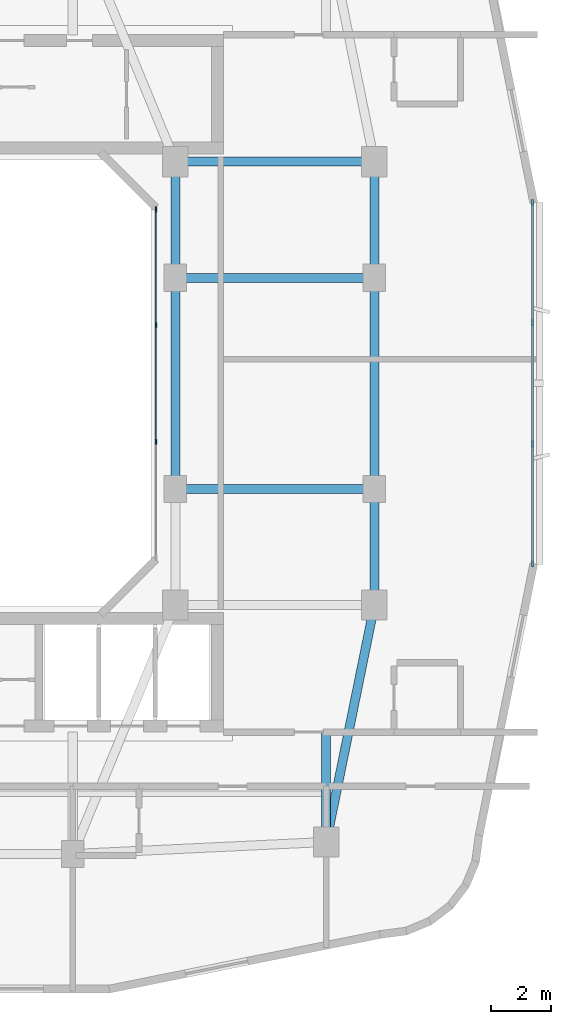
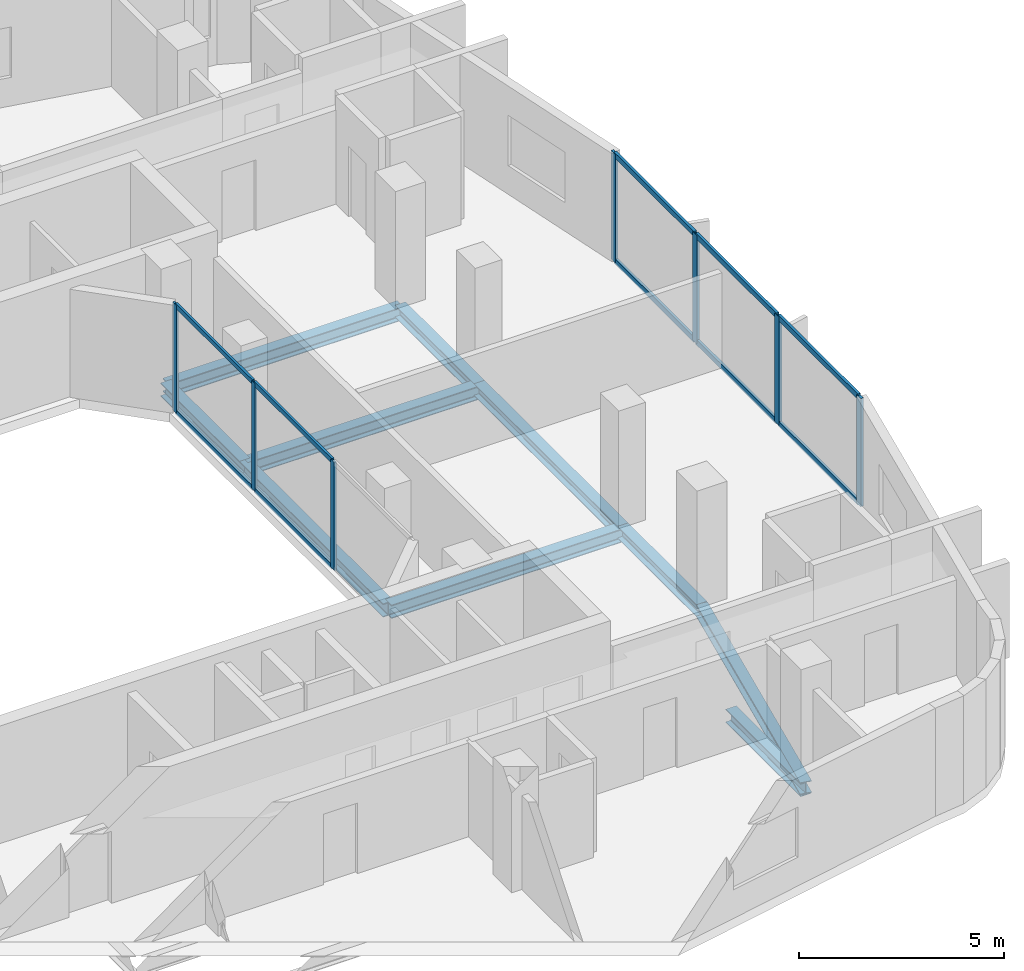
# One storey, part 3 of 13: 17 members, 10 beams, 2 elements without a shape of their own.
"""IFC4 building model written with IfcOpenShell, lengths in metres."""

from ifc_helpers import new_model, si_unit, derived_unit, direction, frame, origin, origin_2d, place, context, subcontext, project, spatial, rectangle, i_section, extrude, material, layer, layer_set, material_profile, profile_set, type_object, element, aggregate, save


model = new_model("IFC4")

# Units and contexts
model_context = context("Model", 3, precision=1e-05, world=origin(), true_north=direction((0.0, 1.0)))
body_context = subcontext(model_context, "Body", "Model", "MODEL_VIEW")
ifc_project = project(units=[si_unit("LENGTHUNIT", "METRE"), si_unit("AREAUNIT", "SQUARE_METRE"), si_unit("VOLUMEUNIT", "CUBIC_METRE"), si_unit("PLANEANGLEUNIT", "RADIAN"), si_unit("MASSUNIT", "GRAM", prefix="KILO"), derived_unit("THERMALTRANSMITTANCEUNIT", [(si_unit("POWERUNIT", "WATT"), 1), (si_unit("LENGTHUNIT", "METRE"), -2), (si_unit("THERMODYNAMICTEMPERATUREUNIT", "KELVIN"), -1)])], contexts=[model_context])

# Site, building, storey
site_placement = place(None, origin())
site = spatial("IfcSite", under=ifc_project, at=site_placement, CompositionType="ELEMENT")
building_placement = place(site_placement, origin())
building = spatial("IfcBuilding", under=site, at=building_placement, Name="Kivonza Crest Hotel", CompositionType="ELEMENT")
storey_placement = place(building_placement, frame((0.0, 0.0, 155.5)))
storey = spatial("IfcBuildingStorey", under=building, at=storey_placement, Name="L42", CompositionType="ELEMENT", Elevation=155.5)

# Beams
ifc_material_1 = material(Name="Steel S355", Category="steel")
ifc_material_profile_1 = material_profile(ifc_material_1, i_section(OverallWidth=0.300048828125, OverallDepth=0.360107421875, WebThickness=0.012451171875, FlangeThickness=0.0224609375, FilletRadius=0.027099609375, at=origin_2d()), Name="HEB 360")
ifc_profile_set_1 = profile_set([ifc_material_profile_1], Name="Steel S355")
beam_type_1 = type_object("IfcBeamType", Name="BM-HEB360", PredefinedType="SPANDREL", material=ifc_profile_set_1)
beam_1_placement = place(storey_placement, frame((34.199951171875, 9.800048828125, -0.4599609375), z_axis=(0.199730733965, 0.979850822273, 0.0), x_axis=(-0.979850822273, 0.199730733965, 0.0)))
element("IfcBeam", 1, at=beam_1_placement, inside=storey, type_object=beam_type_1, Name="Tower T1 L42 perimeter spandrel SE-PSE", PredefinedType="SPANDREL", context=body_context, shape_type="SweptSolid", body=[
    extrude(i_section(OverallWidth=0.300048828125, OverallDepth=0.360107421875, WebThickness=0.012451171875, FlangeThickness=0.0224609375, FilletRadius=0.027099609375, at=origin_2d()), origin(), (0.0, 0.0, 1.0), 8.01123046875),
])
beam_2_placement = place(storey_placement, frame((35.800048828125, 17.64990234375, -0.4599609375), z_axis=(0.0, 1.0, 0.0), x_axis=(-1.0, 0.0, 0.0)))
element("IfcBeam", 2, at=beam_2_placement, inside=storey, type_object=beam_type_1, Name="Tower T1 L42 perimeter spandrel PSE-E1", PredefinedType="SPANDREL", context=body_context, shape_type="SweptSolid", body=[
    extrude(i_section(OverallWidth=0.300048828125, OverallDepth=0.360107421875, WebThickness=0.012451171875, FlangeThickness=0.0224609375, FilletRadius=0.027099609375, at=origin_2d()), origin(), (0.0, 0.0, 1.0), 3.85009765625),
])
beam_3_placement = place(storey_placement, frame((35.800048828125, 21.5, -0.4599609375), z_axis=(0.0, 1.0, 0.0), x_axis=(-1.0, 0.0, 0.0)))
element("IfcBeam", 3, at=beam_3_placement, inside=storey, type_object=beam_type_1, Name="Tower T1 L42 perimeter spandrel E1-E2", PredefinedType="SPANDREL", context=body_context, shape_type="SweptSolid", body=[
    extrude(i_section(OverallWidth=0.300048828125, OverallDepth=0.360107421875, WebThickness=0.012451171875, FlangeThickness=0.0224609375, FilletRadius=0.027099609375, at=origin_2d()), origin(), (0.0, 0.0, 1.0), 7.0),
])
beam_4_placement = place(storey_placement, frame((35.800048828125, 28.5, -0.4599609375), z_axis=(0.0, 1.0, 0.0), x_axis=(-1.0, 0.0, 0.0)))
element("IfcBeam", 4, at=beam_4_placement, inside=storey, type_object=beam_type_1, Name="Tower T1 L42 perimeter spandrel E2-PNE", PredefinedType="SPANDREL", context=body_context, shape_type="SweptSolid", body=[
    extrude(i_section(OverallWidth=0.300048828125, OverallDepth=0.360107421875, WebThickness=0.012451171875, FlangeThickness=0.0224609375, FilletRadius=0.027099609375, at=origin_2d()), origin(), (0.0, 0.0, 1.0), 3.85009765625),
])
ifc_material_profile_2 = material_profile(ifc_material_1, i_section(OverallWidth=0.300048828125, OverallDepth=0.39990234375, WebThickness=0.013427734375, FlangeThickness=0.02392578125, FilletRadius=0.027099609375, at=origin_2d()), Name="HEB 400")
ifc_profile_set_2 = profile_set([ifc_material_profile_2], Name="Steel S355")
beam_type_2 = type_object("IfcBeamType", Name="BM-HEB400", PredefinedType="BEAM", material=ifc_profile_set_2)
beam_5_placement = place(storey_placement, frame((29.199951171875, 32.35009765625, -0.47998046875), z_axis=(1.0, 0.0, 0.0), x_axis=(0.0, 1.0, 0.0)))
element("IfcBeam", 5, at=beam_5_placement, inside=storey, type_object=beam_type_2, Name="Tower T1 L42 primary girder TNE-PNE", PredefinedType="BEAM", context=body_context, shape_type="SweptSolid", body=[
    extrude(i_section(OverallWidth=0.300048828125, OverallDepth=0.39990234375, WebThickness=0.013427734375, FlangeThickness=0.02392578125, FilletRadius=0.027099609375, at=origin_2d()), origin(), (0.0, 0.0, 1.0), 6.60009765625),
])
beam_6_placement = place(storey_placement, frame((29.199951171875, 21.5, -0.47998046875), z_axis=(0.0, 1.0, 0.0), x_axis=(-1.0, 0.0, 0.0)))
element("IfcBeam", 6, at=beam_6_placement, inside=storey, type_object=beam_type_2, Name="Tower T1 L42 primary girder WR1-WR2", PredefinedType="BEAM", context=body_context, shape_type="SweptSolid", body=[
    extrude(i_section(OverallWidth=0.300048828125, OverallDepth=0.39990234375, WebThickness=0.013427734375, FlangeThickness=0.02392578125, FilletRadius=0.027099609375, at=origin_2d()), origin(), (0.0, 0.0, 1.0), 7.0),
])
beam_7_placement = place(storey_placement, frame((29.199951171875, 28.5, -0.47998046875), z_axis=(0.0, 1.0, 0.0), x_axis=(-1.0, 0.0, 0.0)))
element("IfcBeam", 7, at=beam_7_placement, inside=storey, type_object=beam_type_2, Name="Tower T1 L42 primary girder WR2-TNE", PredefinedType="BEAM", context=body_context, shape_type="SweptSolid", body=[
    extrude(i_section(OverallWidth=0.300048828125, OverallDepth=0.39990234375, WebThickness=0.013427734375, FlangeThickness=0.02392578125, FilletRadius=0.027099609375, at=origin_2d()), origin(), (0.0, 0.0, 1.0), 3.85009765625),
])
for number, where, z_axis, x_axis, name in (
    (8, (29.199951171875, 21.5, -0.47998046875), (1.0, 0.0, 0.0), (0.0, 1.0, 0.0), "Tower T1 L42 primary girder WR1-E1"),
    (9, (29.199951171875, 28.5, -0.47998046875), (1.0, 0.0, 0.0), (0.0, 1.0, 0.0), "Tower T1 L42 primary girder WR2-E2"),
):
    element("IfcBeam", number, at=place(storey_placement, frame(where, z_axis=z_axis, x_axis=x_axis)), inside=storey, type_object=beam_type_2, Name=name, PredefinedType="BEAM", context=body_context, shape_type="SweptSolid", body=[
        extrude(i_section(OverallWidth=0.300048828125, OverallDepth=0.39990234375, WebThickness=0.013427734375, FlangeThickness=0.02392578125, FilletRadius=0.027099609375, at=origin_2d()), origin(), (0.0, 0.0, 1.0), 6.60009765625),
    ])
beam_8_placement = place(storey_placement, frame((34.199951171875, 9.800048828125, -0.47998046875), z_axis=(0.0, 1.0, 0.0), x_axis=(-1.0, 0.0, 0.0)))
element("IfcBeam", 10, at=beam_8_placement, inside=storey, type_object=beam_type_2, Name="Tower T1 L42 radial core girder RSE", PredefinedType="BEAM", context=body_context, shape_type="SweptSolid", body=[
    extrude(i_section(OverallWidth=0.300048828125, OverallDepth=0.39990234375, WebThickness=0.013427734375, FlangeThickness=0.02392578125, FilletRadius=0.027099609375, at=origin_2d()), origin(), (0.0, 0.0, 1.0), 3.64990234375),
])

# Curtain wall, members
ifc_material_2 = material(Name="Anodised bronze aluminium and low-E double glazing", Category="aluminium")
ifc_layer_1 = layer(ifc_material_2, 0.159912109375)
ifc_layer_set_1 = layer_set([ifc_layer_1], Name="Anodised bronze aluminium and low-E double glazing")
curtain_wall_type_1 = type_object("IfcCurtainWallType", Name="CW-SYS-5", PredefinedType="NOTDEFINED", material=ifc_layer_set_1)
curtain_wall_1_placement = place(storey_placement, origin())
curtain_wall_1 = element("IfcCurtainWall", 11, at=curtain_wall_1_placement, inside=storey, type_object=curtain_wall_type_1, Name="L42 unitised curtain wall CW-WELL-T1-L42-3", PredefinedType="NOTDEFINED")
ifc_material_3 = material(Name="Anodised bronze aluminium", Category="aluminium")
ifc_material_profile_3 = material_profile(ifc_material_3, rectangle(XDim=0.06494140625, YDim=0.179931640625, at=origin_2d()), Name="CW-M 65x180")
ifc_profile_set_3 = profile_set([ifc_material_profile_3], Name="Anodised bronze aluminium")
member_type_1 = type_object("IfcMemberType", Name="CW-MUL-65x180", PredefinedType="MULLION", material=ifc_profile_set_3)
member_1_placement = place(storey_placement, frame((28.56005859375, 23.066650390625, 0.0), z_axis=(0.0, 0.0, 1.0), x_axis=(-1.0, 0.0, 0.0)))
member_1 = element("IfcMember", 12, at=member_1_placement, type_object=member_type_1, Name="CW-5 mullion 2", PredefinedType="MULLION", context=body_context, shape_type="SweptSolid", body=[
    extrude(rectangle(XDim=0.06494140625, YDim=0.179931640625, at=origin_2d()), origin(), (0.0, 0.0, 1.0), 3.219970703125),
])
member_2_placement = place(storey_placement, frame((28.56005859375, 26.933349609375, 0.0), z_axis=(0.0, 0.0, 1.0), x_axis=(-1.0, 0.0, 0.0)))
member_2 = element("IfcMember", 13, at=member_2_placement, type_object=member_type_1, Name="CW-5 mullion 3", PredefinedType="MULLION", context=body_context, shape_type="SweptSolid", body=[
    extrude(rectangle(XDim=0.06494140625, YDim=0.179931640625, at=origin_2d()), origin(), (0.0, 0.0, 1.0), 3.219970703125),
])
member_3_placement = place(storey_placement, frame((28.56005859375, 30.767578125, 0.0), z_axis=(0.0, 0.0, 1.0), x_axis=(-1.0, 0.0, 0.0)))
member_3 = element("IfcMember", 14, at=member_3_placement, type_object=member_type_1, Name="CW-5 mullion 4", PredefinedType="MULLION", context=body_context, shape_type="SweptSolid", body=[
    extrude(rectangle(XDim=0.06494140625, YDim=0.179931640625, at=origin_2d()), origin(), (0.0, 0.0, 1.0), 3.219970703125),
])

ifc_layer_2 = layer(ifc_material_2, 0.179931640625)
ifc_layer_set_2 = layer_set([ifc_layer_2], Name="Anodised bronze aluminium and low-E double glazing")
curtain_wall_type_2 = type_object("IfcCurtainWallType", Name="CW-SYS-3", PredefinedType="NOTDEFINED", material=ifc_layer_set_2)
curtain_wall_2_placement = place(storey_placement, origin())
curtain_wall_2 = element("IfcCurtainWall", 15, at=curtain_wall_2_placement, inside=storey, type_object=curtain_wall_type_2, Name="L42 unitised curtain wall CW-T1-L42-17", PredefinedType="NOTDEFINED")
ifc_material_profile_4 = material_profile(ifc_material_3, rectangle(XDim=0.074951171875, YDim=0.219970703125, at=origin_2d()), Name="CW-M 75x220")
ifc_profile_set_4 = profile_set([ifc_material_profile_4], Name="Anodised bronze aluminium")
member_type_2 = type_object("IfcMemberType", Name="CW-MUL-75x220", PredefinedType="MULLION", material=ifc_profile_set_4)
member_4_placement = place(storey_placement, frame((41.0400390625, 19.017578125, 0.0), z_axis=(0.0, 0.0, 1.0), x_axis=(-1.0, 0.0, 0.0)))
member_4 = element("IfcMember", 16, at=member_4_placement, type_object=member_type_2, Name="CW-3 mullion 1", PredefinedType="MULLION", context=body_context, shape_type="SweptSolid", body=[
    extrude(rectangle(XDim=0.074951171875, YDim=0.219970703125, at=origin_2d()), origin(), (0.0, 0.0, 1.0), 3.219970703125),
])
member_5_placement = place(storey_placement, frame((41.0400390625, 22.993408203125, 0.0), z_axis=(0.0, 0.0, 1.0), x_axis=(-1.0, 0.0, 0.0)))
member_5 = element("IfcMember", 17, at=member_5_placement, type_object=member_type_2, Name="CW-3 mullion 2", PredefinedType="MULLION", context=body_context, shape_type="SweptSolid", body=[
    extrude(rectangle(XDim=0.074951171875, YDim=0.219970703125, at=origin_2d()), origin(), (0.0, 0.0, 1.0), 3.219970703125),
])
member_6_placement = place(storey_placement, frame((41.0400390625, 27.006591796875, 0.0), z_axis=(0.0, 0.0, 1.0), x_axis=(-1.0, 0.0, 0.0)))
member_6 = element("IfcMember", 18, at=member_6_placement, type_object=member_type_2, Name="CW-3 mullion 3", PredefinedType="MULLION", context=body_context, shape_type="SweptSolid", body=[
    extrude(rectangle(XDim=0.074951171875, YDim=0.219970703125, at=origin_2d()), origin(), (0.0, 0.0, 1.0), 3.219970703125),
])
member_7_placement = place(storey_placement, frame((41.0400390625, 30.982421875, 0.0), z_axis=(0.0, 0.0, 1.0), x_axis=(-1.0, 0.0, 0.0)))
member_7 = element("IfcMember", 19, at=member_7_placement, type_object=member_type_2, Name="CW-3 mullion 4", PredefinedType="MULLION", context=body_context, shape_type="SweptSolid", body=[
    extrude(rectangle(XDim=0.074951171875, YDim=0.219970703125, at=origin_2d()), origin(), (0.0, 0.0, 1.0), 3.219970703125),
])

# Member
ifc_material_profile_5 = material_profile(ifc_material_3, rectangle(XDim=0.06494140625, YDim=0.139892578125, at=origin_2d()), Name="CW-T 65x140")
ifc_profile_set_5 = profile_set([ifc_material_profile_5], Name="Anodised bronze aluminium")
member_type_3 = type_object("IfcMemberType", Name="CW-TRN-65x140", PredefinedType="USERDEFINED", material=ifc_profile_set_5)
member_8_placement = place(storey_placement, frame((28.56005859375, 23.09912109375, 0.032470703125), z_axis=(0.0, 1.0, 0.0), x_axis=(-1.0, 0.0, 0.0)))
member_8 = element("IfcMember", 20, at=member_8_placement, type_object=member_type_3, Name="CW-5 transom 2.1", ObjectType="TRANSOM", PredefinedType="USERDEFINED", context=body_context, shape_type="SweptSolid", body=[
    extrude(rectangle(XDim=0.06494140625, YDim=0.139892578125, at=origin_2d()), origin(), (0.0, 0.0, 1.0), 3.8017578125),
])

member_9_placement = place(storey_placement, frame((28.56005859375, 23.09912109375, 3.1875), z_axis=(0.0, 1.0, 0.0), x_axis=(-1.0, 0.0, 0.0)))
member_9 = element("IfcMember", 21, at=member_9_placement, type_object=member_type_3, Name="CW-5 transom 2.2", ObjectType="TRANSOM", PredefinedType="USERDEFINED", context=body_context, shape_type="SweptSolid", body=[
    extrude(rectangle(XDim=0.06494140625, YDim=0.139892578125, at=origin_2d()), origin(), (0.0, 0.0, 1.0), 3.8017578125),
])

member_10_placement = place(storey_placement, frame((28.56005859375, 26.9658203125, 0.032470703125), z_axis=(0.0, 1.0, 0.0), x_axis=(-1.0, 0.0, 0.0)))
member_10 = element("IfcMember", 22, at=member_10_placement, type_object=member_type_3, Name="CW-5 transom 3.1", ObjectType="TRANSOM", PredefinedType="USERDEFINED", context=body_context, shape_type="SweptSolid", body=[
    extrude(rectangle(XDim=0.06494140625, YDim=0.139892578125, at=origin_2d()), origin(), (0.0, 0.0, 1.0), 3.769287109375),
])

member_11_placement = place(storey_placement, frame((28.56005859375, 26.9658203125, 3.1875), z_axis=(0.0, 1.0, 0.0), x_axis=(-1.0, 0.0, 0.0)))
member_11 = element("IfcMember", 23, at=member_11_placement, type_object=member_type_3, Name="CW-5 transom 3.2", ObjectType="TRANSOM", PredefinedType="USERDEFINED", context=body_context, shape_type="SweptSolid", body=[
    extrude(rectangle(XDim=0.06494140625, YDim=0.139892578125, at=origin_2d()), origin(), (0.0, 0.0, 1.0), 3.769287109375),
])

aggregate(curtain_wall_1, [member_1, member_2, member_3, member_8, member_9, member_10, member_11])

ifc_material_profile_6 = material_profile(ifc_material_3, rectangle(XDim=0.074951171875, YDim=0.159912109375, at=origin_2d()), Name="CW-T 75x160")
ifc_profile_set_6 = profile_set([ifc_material_profile_6], Name="Anodised bronze aluminium")
member_type_4 = type_object("IfcMemberType", Name="CW-TRN-75x160", PredefinedType="USERDEFINED", material=ifc_profile_set_6)
member_12_placement = place(storey_placement, frame((41.0400390625, 19.054931640625, 0.03759765625), z_axis=(0.0, 1.0, 0.0), x_axis=(-1.0, 0.0, 0.0)))
member_12 = element("IfcMember", 24, at=member_12_placement, type_object=member_type_4, Name="CW-3 transom 1.1", ObjectType="TRANSOM", PredefinedType="USERDEFINED", context=body_context, shape_type="SweptSolid", body=[
    extrude(rectangle(XDim=0.074951171875, YDim=0.159912109375, at=origin_2d()), origin(), (0.0, 0.0, 1.0), 3.90087890625),
])

member_13_placement = place(storey_placement, frame((41.0400390625, 19.054931640625, 3.1826171875), z_axis=(0.0, 1.0, 0.0), x_axis=(-1.0, 0.0, 0.0)))
member_13 = element("IfcMember", 25, at=member_13_placement, type_object=member_type_4, Name="CW-3 transom 1.2", ObjectType="TRANSOM", PredefinedType="USERDEFINED", context=body_context, shape_type="SweptSolid", body=[
    extrude(rectangle(XDim=0.074951171875, YDim=0.159912109375, at=origin_2d()), origin(), (0.0, 0.0, 1.0), 3.90087890625),
])

member_14_placement = place(storey_placement, frame((41.0400390625, 23.03076171875, 0.03759765625), z_axis=(0.0, 1.0, 0.0), x_axis=(-1.0, 0.0, 0.0)))
member_14 = element("IfcMember", 26, at=member_14_placement, type_object=member_type_4, Name="CW-3 transom 2.1", ObjectType="TRANSOM", PredefinedType="USERDEFINED", context=body_context, shape_type="SweptSolid", body=[
    extrude(rectangle(XDim=0.074951171875, YDim=0.159912109375, at=origin_2d()), origin(), (0.0, 0.0, 1.0), 3.9384765625),
])

member_15_placement = place(storey_placement, frame((41.0400390625, 23.03076171875, 3.1826171875), z_axis=(0.0, 1.0, 0.0), x_axis=(-1.0, 0.0, 0.0)))
member_15 = element("IfcMember", 27, at=member_15_placement, type_object=member_type_4, Name="CW-3 transom 2.2", ObjectType="TRANSOM", PredefinedType="USERDEFINED", context=body_context, shape_type="SweptSolid", body=[
    extrude(rectangle(XDim=0.074951171875, YDim=0.159912109375, at=origin_2d()), origin(), (0.0, 0.0, 1.0), 3.9384765625),
])

member_16_placement = place(storey_placement, frame((41.0400390625, 27.044189453125, 0.03759765625), z_axis=(0.0, 1.0, 0.0), x_axis=(-1.0, 0.0, 0.0)))
member_16 = element("IfcMember", 28, at=member_16_placement, type_object=member_type_4, Name="CW-3 transom 3.1", ObjectType="TRANSOM", PredefinedType="USERDEFINED", context=body_context, shape_type="SweptSolid", body=[
    extrude(rectangle(XDim=0.074951171875, YDim=0.159912109375, at=origin_2d()), origin(), (0.0, 0.0, 1.0), 3.90087890625),
])

member_17_placement = place(storey_placement, frame((41.0400390625, 27.044189453125, 3.1826171875), z_axis=(0.0, 1.0, 0.0), x_axis=(-1.0, 0.0, 0.0)))
member_17 = element("IfcMember", 29, at=member_17_placement, type_object=member_type_4, Name="CW-3 transom 3.2", ObjectType="TRANSOM", PredefinedType="USERDEFINED", context=body_context, shape_type="SweptSolid", body=[
    extrude(rectangle(XDim=0.074951171875, YDim=0.159912109375, at=origin_2d()), origin(), (0.0, 0.0, 1.0), 3.90087890625),
])

aggregate(curtain_wall_2, [member_4, member_5, member_6, member_7, member_12, member_13, member_14, member_15, member_16, member_17])

save(model, "model.ifc")
